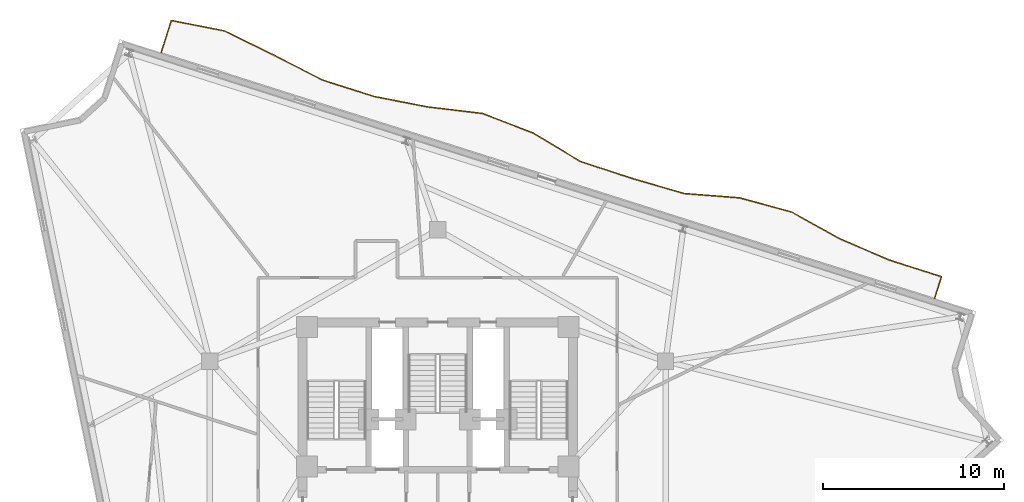
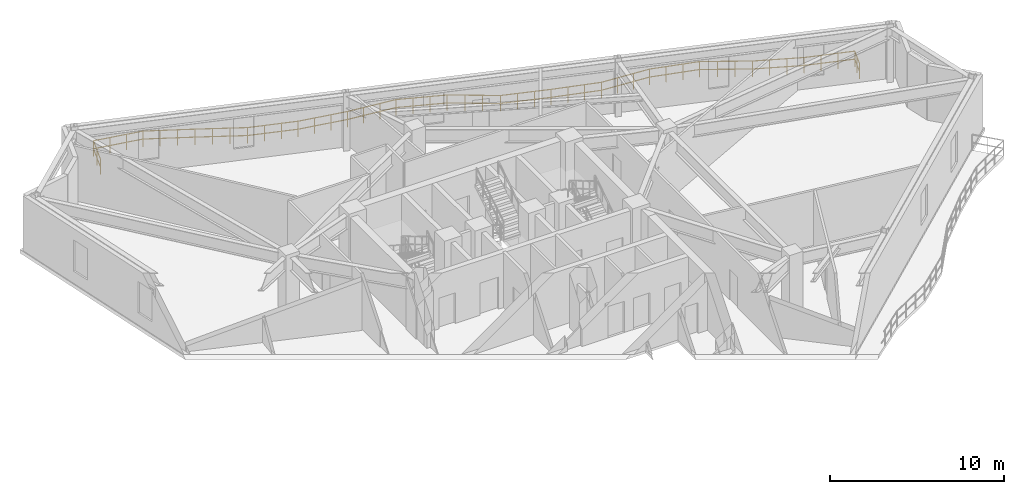
# One storey, part 11 of 11: 1 railing.
"""IFC4 building model written with IfcOpenShell, lengths in metres."""

from ifc_helpers import new_model, si_unit, direction, frame, origin, origin_2d, place, context, subcontext, project, spatial, rectangle, extrude, material, type_object, element, save


model = new_model("IFC4")

# Units and contexts
model_context = context("Model", 3, precision=1e-05, world=origin(), true_north=direction((0.0, 1.0)))
body_context = subcontext(model_context, "Body", "Model", "MODEL_VIEW")
ifc_project = project(units=[si_unit("LENGTHUNIT", "METRE"), si_unit("AREAUNIT", "SQUARE_METRE"), si_unit("VOLUMEUNIT", "CUBIC_METRE"), si_unit("PLANEANGLEUNIT", "RADIAN"), si_unit("MASSUNIT", "GRAM", prefix="KILO")], contexts=[model_context])

# Site, building, storey
site_placement = place(None, origin())
site = spatial("IfcSite", under=ifc_project, at=site_placement, CompositionType="ELEMENT")
building_placement = place(site_placement, origin())
building = spatial("IfcBuilding", under=site, at=building_placement, Name="Apsidion Concourse Tower", CompositionType="ELEMENT")
storey_placement = place(building_placement, frame((0.0, 0.0, 236.300048828125)))
storey = spatial("IfcBuildingStorey", under=building, at=storey_placement, Name="L55", CompositionType="ELEMENT", Elevation=236.300048828125)

# Railing
ifc_material = material(Name="Brushed stainless steel 316", Category="steel")
railing_type = type_object("IfcRailingType", Name="RL-BAL-1120", PredefinedType="BALUSTRADE", material=ifc_material)
railing_placement = place(storey_placement, frame((-15.25, 24.272216796875, 0.0)))
element("IfcRailing", 1, at=railing_placement, inside=storey, type_object=railing_type, Name="L55 Face 3 Rippling Balcony Balustrade", PredefinedType="BALUSTRADE", context=body_context, shape_type="SweptSolid", body=[
    extrude(rectangle(XDim=0.048095703125, YDim=0.048095703125, at=origin_2d()), frame((0.0, 0.0, 1.09619140625), z_axis=(0.302829299276, 0.953044812955, 0.0), x_axis=(-0.953044812955, 0.302829299276, 0.0)), (0.0, 0.0, 1.0), 1.857421875),
    extrude(rectangle(XDim=0.048095703125, YDim=0.048095703125, at=origin_2d()), frame((0.0, 0.0, 0.5361328125), z_axis=(0.302829299276, 0.953044812955, 0.0), x_axis=(-0.953044812955, 0.302829299276, 0.0)), (0.0, 0.0, 1.0), 1.857421875),
    extrude(rectangle(XDim=0.048095703125, YDim=0.048095703125, at=origin_2d()), frame((0.5625, 1.770263671875, 1.09619140625), z_axis=(0.981219696545, -0.192893512366, 0.0), x_axis=(0.192893512366, 0.981219696545, 0.0)), (0.0, 0.0, 1.0), 3.002197265625),
    extrude(rectangle(XDim=0.048095703125, YDim=0.048095703125, at=origin_2d()), frame((0.5625, 1.770263671875, 0.5361328125), z_axis=(0.981219696545, -0.192893512366, 0.0), x_axis=(0.192893512366, 0.981219696545, 0.0)), (0.0, 0.0, 1.0), 3.002197265625),
    extrude(rectangle(XDim=0.048095703125, YDim=0.048095703125, at=origin_2d()), frame((3.50830078125, 1.191162109375, 1.09619140625), z_axis=(0.897049771943, -0.4419295268, 0.0), x_axis=(0.4419295268, 0.897049771943, 0.0)), (0.0, 0.0, 1.0), 3.016845703125),
    extrude(rectangle(XDim=0.048095703125, YDim=0.048095703125, at=origin_2d()), frame((3.50830078125, 1.191162109375, 0.5361328125), z_axis=(0.897049771943, -0.4419295268, 0.0), x_axis=(0.4419295268, 0.897049771943, 0.0)), (0.0, 0.0, 1.0), 3.016845703125),
    extrude(rectangle(XDim=0.048095703125, YDim=0.048095703125, at=origin_2d()), frame((6.214599609375, -0.14208984375, 1.09619140625), z_axis=(0.890567692677, -0.454850727998, 0.0), x_axis=(0.454850727998, 0.890567692677, 0.0)), (0.0, 0.0, 1.0), 3.02392578125),
    extrude(rectangle(XDim=0.048095703125, YDim=0.048095703125, at=origin_2d()), frame((6.214599609375, -0.14208984375, 0.5361328125), z_axis=(0.890567692677, -0.454850727998, 0.0), x_axis=(0.454850727998, 0.890567692677, 0.0)), (0.0, 0.0, 1.0), 3.02392578125),
    extrude(rectangle(XDim=0.048095703125, YDim=0.048095703125, at=origin_2d()), frame((8.90771484375, -1.517578125, 1.09619140625), z_axis=(0.953072925335, -0.302740811577, 0.0), x_axis=(0.302740811577, 0.953072925335, 0.0)), (0.0, 0.0, 1.0), 2.98291015625),
    extrude(rectangle(XDim=0.048095703125, YDim=0.048095703125, at=origin_2d()), frame((8.90771484375, -1.517578125, 0.5361328125), z_axis=(0.953072925335, -0.302740811577, 0.0), x_axis=(0.302740811577, 0.953072925335, 0.0)), (0.0, 0.0, 1.0), 2.98291015625),
    extrude(rectangle(XDim=0.048095703125, YDim=0.048095703125, at=origin_2d()), frame((11.750732421875, -2.420654296875, 1.09619140625), z_axis=(0.981449566875, -0.191720493637, 0.0), x_axis=(0.191720493637, 0.981449566875, 0.0)), (0.0, 0.0, 1.0), 3.002685546875),
    extrude(rectangle(XDim=0.048095703125, YDim=0.048095703125, at=origin_2d()), frame((11.750732421875, -2.420654296875, 0.5361328125), z_axis=(0.981449566875, -0.191720493637, 0.0), x_axis=(0.191720493637, 0.981449566875, 0.0)), (0.0, 0.0, 1.0), 3.002685546875),
    extrude(rectangle(XDim=0.048095703125, YDim=0.048095703125, at=origin_2d()), frame((14.69775390625, -2.996337890625, 1.09619140625), z_axis=(0.992993889678, -0.118165710178, 0.0), x_axis=(0.118165710178, 0.992993889678, 0.0)), (0.0, 0.0, 1.0), 3.037109375),
    extrude(rectangle(XDim=0.048095703125, YDim=0.048095703125, at=origin_2d()), frame((14.69775390625, -2.996337890625, 0.5361328125), z_axis=(0.992993889678, -0.118165710178, 0.0), x_axis=(0.118165710178, 0.992993889678, 0.0)), (0.0, 0.0, 1.0), 3.037109375),
    extrude(rectangle(XDim=0.048095703125, YDim=0.048095703125, at=origin_2d()), frame((17.713623046875, -3.355224609375, 1.09619140625), z_axis=(0.933128563206, -0.359542882741, 0.0), x_axis=(0.359542882741, 0.933128563206, 0.0)), (0.0, 0.0, 1.0), 2.988525390625),
    extrude(rectangle(XDim=0.048095703125, YDim=0.048095703125, at=origin_2d()), frame((17.713623046875, -3.355224609375, 0.5361328125), z_axis=(0.933128563206, -0.359542882741, 0.0), x_axis=(0.359542882741, 0.933128563206, 0.0)), (0.0, 0.0, 1.0), 2.988525390625),
    extrude(rectangle(XDim=0.048095703125, YDim=0.048095703125, at=origin_2d()), frame((20.502197265625, -4.4296875, 1.09619140625), z_axis=(0.856979683208, -0.51535019411, 0.0), x_axis=(0.51535019411, 0.856979683208, 0.0)), (0.0, 0.0, 1.0), 3.06640625),
    extrude(rectangle(XDim=0.048095703125, YDim=0.048095703125, at=origin_2d()), frame((20.502197265625, -4.4296875, 0.5361328125), z_axis=(0.856979683208, -0.51535019411, 0.0), x_axis=(0.51535019411, 0.856979683208, 0.0)), (0.0, 0.0, 1.0), 3.06640625),
    extrude(rectangle(XDim=0.048095703125, YDim=0.048095703125, at=origin_2d()), frame((23.130126953125, -6.010009765625, 1.09619140625), z_axis=(0.950653249378, -0.310255377789, 0.0), x_axis=(0.310255377789, 0.950653249378, 0.0)), (0.0, 0.0, 1.0), 2.983154296875),
    extrude(rectangle(XDim=0.048095703125, YDim=0.048095703125, at=origin_2d()), frame((23.130126953125, -6.010009765625, 0.5361328125), z_axis=(0.950653249378, -0.310255377789, 0.0), x_axis=(0.310255377789, 0.950653249378, 0.0)), (0.0, 0.0, 1.0), 2.983154296875),
    extrude(rectangle(XDim=0.048095703125, YDim=0.048095703125, at=origin_2d()), frame((25.966064453125, -6.935546875, 1.09619140625), z_axis=(0.960053131718, -0.279817769769, 0.0), x_axis=(0.279817769769, 0.960053131718, 0.0)), (0.0, 0.0, 1.0), 2.98388671875),
    extrude(rectangle(XDim=0.048095703125, YDim=0.048095703125, at=origin_2d()), frame((25.966064453125, -6.935546875, 0.5361328125), z_axis=(0.960053131718, -0.279817769769, 0.0), x_axis=(0.279817769769, 0.960053131718, 0.0)), (0.0, 0.0, 1.0), 2.98388671875),
    extrude(rectangle(XDim=0.048095703125, YDim=0.048095703125, at=origin_2d()), frame((28.830810546875, -7.7705078125, 1.09619140625), z_axis=(0.997039467794, -0.076891479775, 0.0), x_axis=(0.076891479775, 0.997039467794, 0.0)), (0.0, 0.0, 1.0), 3.06396484375),
    extrude(rectangle(XDim=0.048095703125, YDim=0.048095703125, at=origin_2d()), frame((28.830810546875, -7.7705078125, 0.5361328125), z_axis=(0.997039467794, -0.076891479775, 0.0), x_axis=(0.076891479775, 0.997039467794, 0.0)), (0.0, 0.0, 1.0), 3.06396484375),
    extrude(rectangle(XDim=0.048095703125, YDim=0.048095703125, at=origin_2d()), frame((31.8857421875, -8.006103515625, 1.09619140625), z_axis=(0.964824181079, -0.262895986284, 0.0), x_axis=(0.262895986284, 0.964824181079, 0.0)), (0.0, 0.0, 1.0), 2.985595703125),
    extrude(rectangle(XDim=0.048095703125, YDim=0.048095703125, at=origin_2d()), frame((31.8857421875, -8.006103515625, 0.5361328125), z_axis=(0.964824181079, -0.262895986284, 0.0), x_axis=(0.262895986284, 0.964824181079, 0.0)), (0.0, 0.0, 1.0), 2.985595703125),
    extrude(rectangle(XDim=0.048095703125, YDim=0.048095703125, at=origin_2d()), frame((34.766357421875, -8.791015625, 1.09619140625), z_axis=(0.874032382864, -0.485867670981, 0.0), x_axis=(0.485867670981, 0.874032382864, 0.0)), (0.0, 0.0, 1.0), 3.04345703125),
    extrude(rectangle(XDim=0.048095703125, YDim=0.048095703125, at=origin_2d()), frame((34.766357421875, -8.791015625, 0.5361328125), z_axis=(0.874032382864, -0.485867670981, 0.0), x_axis=(0.485867670981, 0.874032382864, 0.0)), (0.0, 0.0, 1.0), 3.04345703125),
    extrude(rectangle(XDim=0.048095703125, YDim=0.048095703125, at=origin_2d()), frame((37.426513671875, -10.269775390625, 1.09619140625), z_axis=(0.919145030018, -0.393919298579, 0.0), x_axis=(0.393919298579, 0.919145030018, 0.0)), (0.0, 0.0, 1.0), 2.997314453125),
    extrude(rectangle(XDim=0.048095703125, YDim=0.048095703125, at=origin_2d()), frame((37.426513671875, -10.269775390625, 0.5361328125), z_axis=(0.919145030018, -0.393919298579, 0.0), x_axis=(0.393919298579, 0.919145030018, 0.0)), (0.0, 0.0, 1.0), 2.997314453125),
    extrude(rectangle(XDim=0.048095703125, YDim=0.048095703125, at=origin_2d()), frame((40.181396484375, -11.450439453125, 1.09619140625), z_axis=(0.953072925335, -0.302740811577, 0.0), x_axis=(0.302740811577, 0.953072925335, 0.0)), (0.0, 0.0, 1.0), 2.98291015625),
    extrude(rectangle(XDim=0.048095703125, YDim=0.048095703125, at=origin_2d()), frame((40.181396484375, -11.450439453125, 0.5361328125), z_axis=(0.953072925335, -0.302740811577, 0.0), x_axis=(0.302740811577, 0.953072925335, 0.0)), (0.0, 0.0, 1.0), 2.98291015625),
    extrude(rectangle(XDim=0.048095703125, YDim=0.048095703125, at=origin_2d()), frame((43.0244140625, -12.353515625, 1.09619140625), z_axis=(-0.302719940533, -0.953079554709, 0.0), x_axis=(0.953079554709, -0.302719940533, 0.0)), (0.0, 0.0, 1.0), 1.25),
    extrude(rectangle(XDim=0.048095703125, YDim=0.048095703125, at=origin_2d()), frame((43.0244140625, -12.353515625, 0.5361328125), z_axis=(-0.302719940533, -0.953079554709, 0.0), x_axis=(0.953079554709, -0.302719940533, 0.0)), (0.0, 0.0, 1.0), 1.25),
    extrude(rectangle(XDim=0.0419921875, YDim=0.0419921875, at=origin_2d()), origin(), (0.0, 0.0, 1.0), 1.072021484375),
    extrude(rectangle(XDim=0.0419921875, YDim=0.0419921875, at=origin_2d()), frame((0.28125, 0.88525390625, 0.0)), (0.0, 0.0, 1.0), 1.072021484375),
    extrude(rectangle(XDim=0.0419921875, YDim=0.0419921875, at=origin_2d()), frame((0.5625, 1.770263671875, 0.0)), (0.0, 0.0, 1.0), 1.072021484375),
    extrude(rectangle(XDim=0.0419921875, YDim=0.0419921875, at=origin_2d()), frame((1.54443359375, 1.5771484375, 0.0)), (0.0, 0.0, 1.0), 1.072021484375),
    extrude(rectangle(XDim=0.0419921875, YDim=0.0419921875, at=origin_2d()), frame((2.5263671875, 1.38427734375, 0.0)), (0.0, 0.0, 1.0), 1.072021484375),
    extrude(rectangle(XDim=0.0419921875, YDim=0.0419921875, at=origin_2d()), frame((3.50830078125, 1.191162109375, 0.0)), (0.0, 0.0, 1.0), 1.072021484375),
    extrude(rectangle(XDim=0.0419921875, YDim=0.0419921875, at=origin_2d()), frame((4.410400390625, 0.746826171875, 0.0)), (0.0, 0.0, 1.0), 1.072021484375),
    extrude(rectangle(XDim=0.0419921875, YDim=0.0419921875, at=origin_2d()), frame((5.3125, 0.30224609375, 0.0)), (0.0, 0.0, 1.0), 1.072021484375),
    extrude(rectangle(XDim=0.0419921875, YDim=0.0419921875, at=origin_2d()), frame((6.214599609375, -0.14208984375, 0.0)), (0.0, 0.0, 1.0), 1.072021484375),
    extrude(rectangle(XDim=0.0419921875, YDim=0.0419921875, at=origin_2d()), frame((7.1123046875, -0.6005859375, 0.0)), (0.0, 0.0, 1.0), 1.072021484375),
    extrude(rectangle(XDim=0.0419921875, YDim=0.0419921875, at=origin_2d()), frame((8.010009765625, -1.05908203125, 0.0)), (0.0, 0.0, 1.0), 1.072021484375),
    extrude(rectangle(XDim=0.0419921875, YDim=0.0419921875, at=origin_2d()), frame((8.90771484375, -1.517578125, 0.0)), (0.0, 0.0, 1.0), 1.072021484375),
    extrude(rectangle(XDim=0.0419921875, YDim=0.0419921875, at=origin_2d()), frame((9.85546875, -1.818603515625, 0.0)), (0.0, 0.0, 1.0), 1.072021484375),
    extrude(rectangle(XDim=0.0419921875, YDim=0.0419921875, at=origin_2d()), frame((10.802978515625, -2.11962890625, 0.0)), (0.0, 0.0, 1.0), 1.072021484375),
    extrude(rectangle(XDim=0.0419921875, YDim=0.0419921875, at=origin_2d()), frame((11.750732421875, -2.420654296875, 0.0)), (0.0, 0.0, 1.0), 1.072021484375),
    extrude(rectangle(XDim=0.0419921875, YDim=0.0419921875, at=origin_2d()), frame((12.733154296875, -2.612548828125, 0.0)), (0.0, 0.0, 1.0), 1.072021484375),
    extrude(rectangle(XDim=0.0419921875, YDim=0.0419921875, at=origin_2d()), frame((13.71533203125, -2.804443359375, 0.0)), (0.0, 0.0, 1.0), 1.072021484375),
    extrude(rectangle(XDim=0.0419921875, YDim=0.0419921875, at=origin_2d()), frame((14.69775390625, -2.996337890625, 0.0)), (0.0, 0.0, 1.0), 1.072021484375),
    extrude(rectangle(XDim=0.0419921875, YDim=0.0419921875, at=origin_2d()), frame((15.703125, -3.115966796875, 0.0)), (0.0, 0.0, 1.0), 1.072021484375),
    extrude(rectangle(XDim=0.0419921875, YDim=0.0419921875, at=origin_2d()), frame((16.708251953125, -3.235595703125, 0.0)), (0.0, 0.0, 1.0), 1.072021484375),
    extrude(rectangle(XDim=0.0419921875, YDim=0.0419921875, at=origin_2d()), frame((17.713623046875, -3.355224609375, 0.0)), (0.0, 0.0, 1.0), 1.072021484375),
    extrude(rectangle(XDim=0.0419921875, YDim=0.0419921875, at=origin_2d()), frame((18.64306640625, -3.71337890625, 0.0)), (0.0, 0.0, 1.0), 1.072021484375),
    extrude(rectangle(XDim=0.0419921875, YDim=0.0419921875, at=origin_2d()), frame((19.57275390625, -4.071533203125, 0.0)), (0.0, 0.0, 1.0), 1.072021484375),
    extrude(rectangle(XDim=0.0419921875, YDim=0.0419921875, at=origin_2d()), frame((20.502197265625, -4.4296875, 0.0)), (0.0, 0.0, 1.0), 1.072021484375),
    extrude(rectangle(XDim=0.0419921875, YDim=0.0419921875, at=origin_2d()), frame((21.378173828125, -4.95654296875, 0.0)), (0.0, 0.0, 1.0), 1.072021484375),
    extrude(rectangle(XDim=0.0419921875, YDim=0.0419921875, at=origin_2d()), frame((22.254150390625, -5.483154296875, 0.0)), (0.0, 0.0, 1.0), 1.072021484375),
    extrude(rectangle(XDim=0.0419921875, YDim=0.0419921875, at=origin_2d()), frame((23.130126953125, -6.010009765625, 0.0)), (0.0, 0.0, 1.0), 1.072021484375),
    extrude(rectangle(XDim=0.0419921875, YDim=0.0419921875, at=origin_2d()), frame((24.075439453125, -6.318603515625, 0.0)), (0.0, 0.0, 1.0), 1.072021484375),
    extrude(rectangle(XDim=0.0419921875, YDim=0.0419921875, at=origin_2d()), frame((25.020751953125, -6.626953125, 0.0)), (0.0, 0.0, 1.0), 1.072021484375),
    extrude(rectangle(XDim=0.0419921875, YDim=0.0419921875, at=origin_2d()), frame((25.966064453125, -6.935546875, 0.0)), (0.0, 0.0, 1.0), 1.072021484375),
    extrude(rectangle(XDim=0.0419921875, YDim=0.0419921875, at=origin_2d()), frame((26.9208984375, -7.2138671875, 0.0)), (0.0, 0.0, 1.0), 1.072021484375),
    extrude(rectangle(XDim=0.0419921875, YDim=0.0419921875, at=origin_2d()), frame((27.8759765625, -7.4921875, 0.0)), (0.0, 0.0, 1.0), 1.072021484375),
    extrude(rectangle(XDim=0.0419921875, YDim=0.0419921875, at=origin_2d()), frame((28.830810546875, -7.7705078125, 0.0)), (0.0, 0.0, 1.0), 1.072021484375),
    extrude(rectangle(XDim=0.0419921875, YDim=0.0419921875, at=origin_2d()), frame((29.84912109375, -7.84912109375, 0.0)), (0.0, 0.0, 1.0), 1.072021484375),
    extrude(rectangle(XDim=0.0419921875, YDim=0.0419921875, at=origin_2d()), frame((30.867431640625, -7.927490234375, 0.0)), (0.0, 0.0, 1.0), 1.072021484375),
    extrude(rectangle(XDim=0.0419921875, YDim=0.0419921875, at=origin_2d()), frame((31.8857421875, -8.006103515625, 0.0)), (0.0, 0.0, 1.0), 1.072021484375),
    extrude(rectangle(XDim=0.0419921875, YDim=0.0419921875, at=origin_2d()), frame((32.845947265625, -8.267822265625, 0.0)), (0.0, 0.0, 1.0), 1.072021484375),
    extrude(rectangle(XDim=0.0419921875, YDim=0.0419921875, at=origin_2d()), frame((33.80615234375, -8.529296875, 0.0)), (0.0, 0.0, 1.0), 1.072021484375),
    extrude(rectangle(XDim=0.0419921875, YDim=0.0419921875, at=origin_2d()), frame((34.766357421875, -8.791015625, 0.0)), (0.0, 0.0, 1.0), 1.072021484375),
    extrude(rectangle(XDim=0.0419921875, YDim=0.0419921875, at=origin_2d()), frame((35.653076171875, -9.283935546875, 0.0)), (0.0, 0.0, 1.0), 1.072021484375),
    extrude(rectangle(XDim=0.0419921875, YDim=0.0419921875, at=origin_2d()), frame((36.539794921875, -9.77685546875, 0.0)), (0.0, 0.0, 1.0), 1.072021484375),
    extrude(rectangle(XDim=0.0419921875, YDim=0.0419921875, at=origin_2d()), frame((37.426513671875, -10.269775390625, 0.0)), (0.0, 0.0, 1.0), 1.072021484375),
    extrude(rectangle(XDim=0.0419921875, YDim=0.0419921875, at=origin_2d()), frame((38.3447265625, -10.663330078125, 0.0)), (0.0, 0.0, 1.0), 1.072021484375),
    extrude(rectangle(XDim=0.0419921875, YDim=0.0419921875, at=origin_2d()), frame((39.26318359375, -11.056884765625, 0.0)), (0.0, 0.0, 1.0), 1.072021484375),
    extrude(rectangle(XDim=0.0419921875, YDim=0.0419921875, at=origin_2d()), frame((40.181396484375, -11.450439453125, 0.0)), (0.0, 0.0, 1.0), 1.072021484375),
    extrude(rectangle(XDim=0.0419921875, YDim=0.0419921875, at=origin_2d()), frame((41.129150390625, -11.75146484375, 0.0)), (0.0, 0.0, 1.0), 1.072021484375),
    extrude(rectangle(XDim=0.0419921875, YDim=0.0419921875, at=origin_2d()), frame((42.07666015625, -12.052490234375, 0.0)), (0.0, 0.0, 1.0), 1.072021484375),
    extrude(rectangle(XDim=0.0419921875, YDim=0.0419921875, at=origin_2d()), frame((43.0244140625, -12.353515625, 0.0)), (0.0, 0.0, 1.0), 1.072021484375),
    extrude(rectangle(XDim=0.0419921875, YDim=0.0419921875, at=origin_2d()), frame((42.835205078125, -12.94921875, 0.0)), (0.0, 0.0, 1.0), 1.072021484375),
    extrude(rectangle(XDim=0.0419921875, YDim=0.0419921875, at=origin_2d()), frame((42.64599609375, -13.544921875, 0.0)), (0.0, 0.0, 1.0), 1.072021484375),
])

save(model, "model.ifc")
